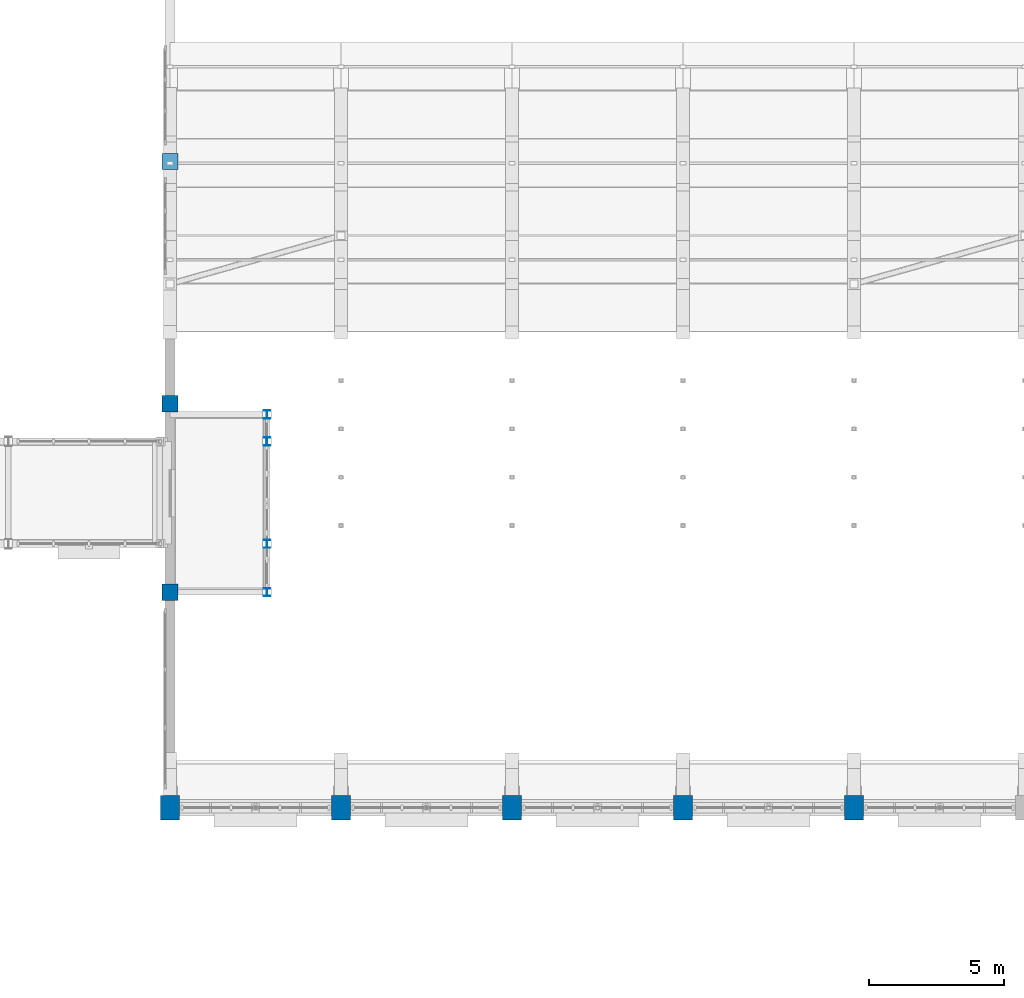
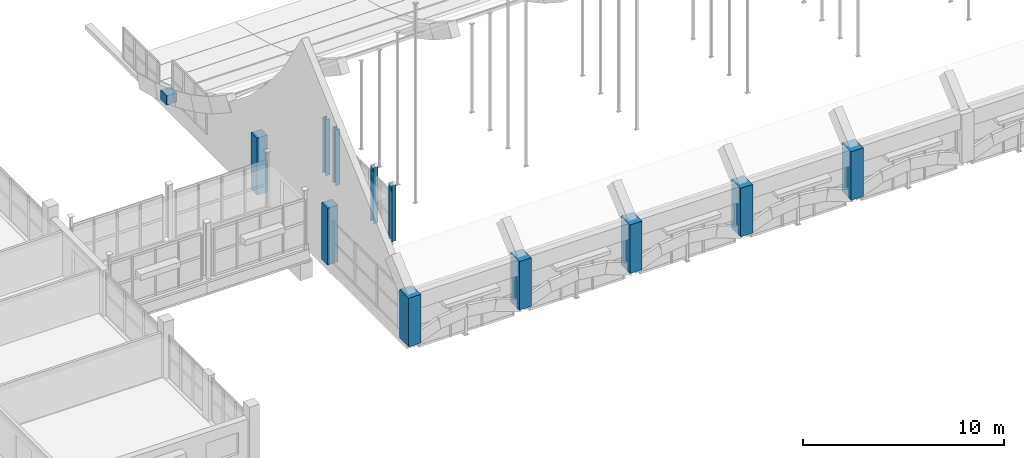
# One storey, part 3 of 77: 12 columns.
"""IFC4 building model written with IfcOpenShell, lengths in metres."""

from ifc_helpers import new_model, si_unit, direction, frame, origin, origin_2d, place, context, subcontext, project, spatial, rectangle, i_section, extrude, material, material_profile, profile_set, type_object, element, save


model = new_model("IFC4")

# Units and contexts
model_context = context("Model", 3, precision=1e-05, world=origin(), true_north=direction((0.0, 1.0)))
body_context = subcontext(model_context, "Body", "Model", "MODEL_VIEW")
ifc_project = project(units=[si_unit("LENGTHUNIT", "METRE"), si_unit("AREAUNIT", "SQUARE_METRE"), si_unit("VOLUMEUNIT", "CUBIC_METRE"), si_unit("PLANEANGLEUNIT", "RADIAN"), si_unit("MASSUNIT", "GRAM", prefix="KILO")], contexts=[model_context])

# Site, building, storey
site_placement = place(None, origin())
site = spatial("IfcSite", under=ifc_project, at=site_placement, CompositionType="ELEMENT")
building_placement = place(site_placement, origin())
building = spatial("IfcBuilding", under=site, at=building_placement, Name="Trellovar Central Fire Station", CompositionType="ELEMENT")
storey_placement = place(building_placement, frame((0.0, 0.0, 5.85009765625)))
storey = spatial("IfcBuildingStorey", under=building, at=storey_placement, Name="L02", CompositionType="ELEMENT", Elevation=5.85009765625)

# Columns
ifc_material_1 = material(Name="Concrete C40/50", Category="concrete")
ifc_material_profile_1 = material_profile(ifc_material_1, rectangle(XDim=0.699951171875, YDim=0.89990234375, at=origin_2d()), Name="RC700X900")
ifc_profile_set_1 = profile_set([ifc_material_profile_1], Name="Concrete C40/50")
column_type_1 = type_object("IfcColumnType", Name="COL-C3", PredefinedType="COLUMN", material=ifc_profile_set_1)
for number, where, z_axis, x_axis, name in (
    (1, (35.0, 14.0, 0.0), (0.0, 0.0, 1.0), (1.0, 0.0, 0.0), "V1 south vault pier upper X=35.00"),
    (2, (41.35009765625, 14.0, 0.0), (0.0, 0.0, 1.0), (1.0, 0.0, 0.0), "V1 south vault pier upper X=41.35"),
    (3, (47.699951171875, 14.0, 0.0), (0.0, 0.0, 1.0), (1.0, 0.0, 0.0), "V1 south vault pier upper X=47.70"),
    (4, (54.050048828125, 14.0, 0.0), (0.0, 0.0, 1.0), (1.0, 0.0, 0.0), "V1 south vault pier upper X=54.05"),
    (5, (60.39990234375, 14.0, 0.0), (0.0, 0.0, 1.0), (1.0, 0.0, 0.0), "V1 south vault pier upper X=60.40"),
):
    element("IfcColumn", number, at=place(storey_placement, frame(where, z_axis=z_axis, x_axis=x_axis)), inside=storey, type_object=column_type_1, Name=name, PredefinedType="COLUMN", context=body_context, shape_type="SweptSolid", body=[
        extrude(rectangle(XDim=0.699951171875, YDim=0.89990234375, at=origin_2d()), origin(), (0.0, 0.0, 1.0), 2.949951171875),
    ])
ifc_material_2 = material(Name="Concrete C40/50", Category="concrete")
ifc_material_profile_2 = material_profile(ifc_material_2, rectangle(XDim=0.60009765625, YDim=0.60009765625, at=origin_2d()), Name="RC600X600")
ifc_profile_set_2 = profile_set([ifc_material_profile_2], Name="Concrete C40/50")
column_type_2 = type_object("IfcColumnType", Name="COL-C6", PredefinedType="COLUMN", material=ifc_profile_set_2)
for number, where, z_axis, x_axis, name in (
    (6, (35.0, 22.0, 0.0), (0.0, 0.0, 1.0), (1.0, 0.0, 0.0), "V1 gable pier L02 (35.0,22.0)"),
    (7, (35.0, 29.0, 0.0), (0.0, 0.0, 1.0), (1.0, 0.0, 0.0), "V1 gable pier L02 (35.0,29.0)"),
):
    element("IfcColumn", number, at=place(storey_placement, frame(where, z_axis=z_axis, x_axis=x_axis)), inside=storey, type_object=column_type_2, Name=name, PredefinedType="COLUMN", context=body_context, shape_type="SweptSolid", body=[
        extrude(rectangle(XDim=0.60009765625, YDim=0.60009765625, at=origin_2d()), origin(), (0.0, 0.0, 1.0), 3.449951171875),
    ])
column_placement = place(storey_placement, frame((35.0, 38.0, 0.0), z_axis=(0.0, 0.0, 1.0), x_axis=(1.0, 0.0, 0.0)))
element("IfcColumn", 8, at=column_placement, inside=storey, type_object=column_type_2, Name="V1 gable pier L02 (35.0,38.0)", PredefinedType="COLUMN", context=body_context, shape_type="SweptSolid", body=[
    extrude(rectangle(XDim=0.60009765625, YDim=0.60009765625, at=origin_2d()), origin(), (0.0, 0.0, 1.0), 0.562255859375),
])
ifc_material_3 = material(Name="Steel ASTM A992 Grade 50", Category="steel")
ifc_material_profile_3 = material_profile(ifc_material_3, i_section(OverallWidth=0.253662109375, OverallDepth=0.306396484375, WebThickness=0.0087890625, FlangeThickness=0.0146484375, FilletRadius=0.013916015625, at=origin_2d()), Name="W12X53")
ifc_profile_set_3 = profile_set([ifc_material_profile_3], Name="Steel ASTM A992 Grade 50")
column_type_3 = type_object("IfcColumnType", Name="COL-SC3", PredefinedType="COLUMN", material=ifc_profile_set_3)
for number, where, z_axis, x_axis, name in (
    (9, (38.60009765625, 22.0, 0.0), (0.0, 0.0, 1.0), (1.0, 0.0, 0.0), "V1 west observation gallery post L02"),
    (10, (38.60009765625, 23.800048828125, 0.0), (0.0, 0.0, 1.0), (1.0, 0.0, 0.0), "V1 west observation gallery post L02"),
    (11, (38.60009765625, 27.60009765625, 0.0), (0.0, 0.0, 1.0), (1.0, 0.0, 0.0), "V1 west observation gallery post L02"),
    (12, (38.60009765625, 28.60009765625, 0.0), (0.0, 0.0, 1.0), (1.0, 0.0, 0.0), "V1 west observation gallery post L02"),
):
    element("IfcColumn", number, at=place(storey_placement, frame(where, z_axis=z_axis, x_axis=x_axis)), inside=storey, type_object=column_type_3, Name=name, PredefinedType="COLUMN", context=body_context, shape_type="SweptSolid", body=[
        extrude(i_section(OverallWidth=0.253662109375, OverallDepth=0.306396484375, WebThickness=0.0087890625, FlangeThickness=0.0146484375, FilletRadius=0.013916015625, at=origin_2d()), origin(), (0.0, 0.0, 1.0), 3.39990234375),
    ])

save(model, "model.ifc")
